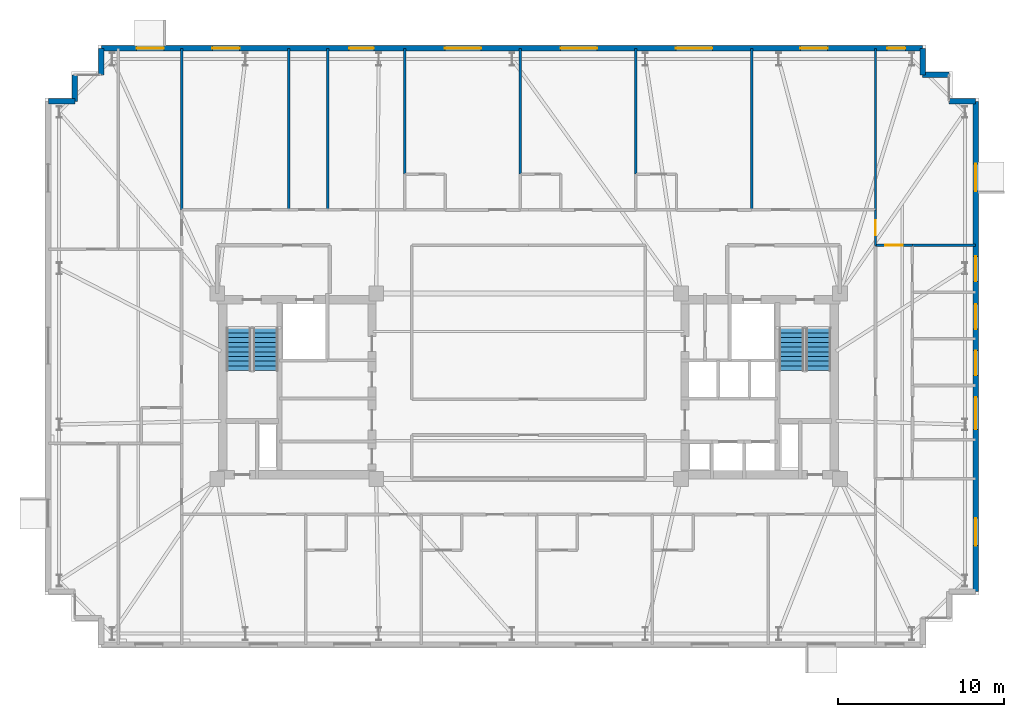
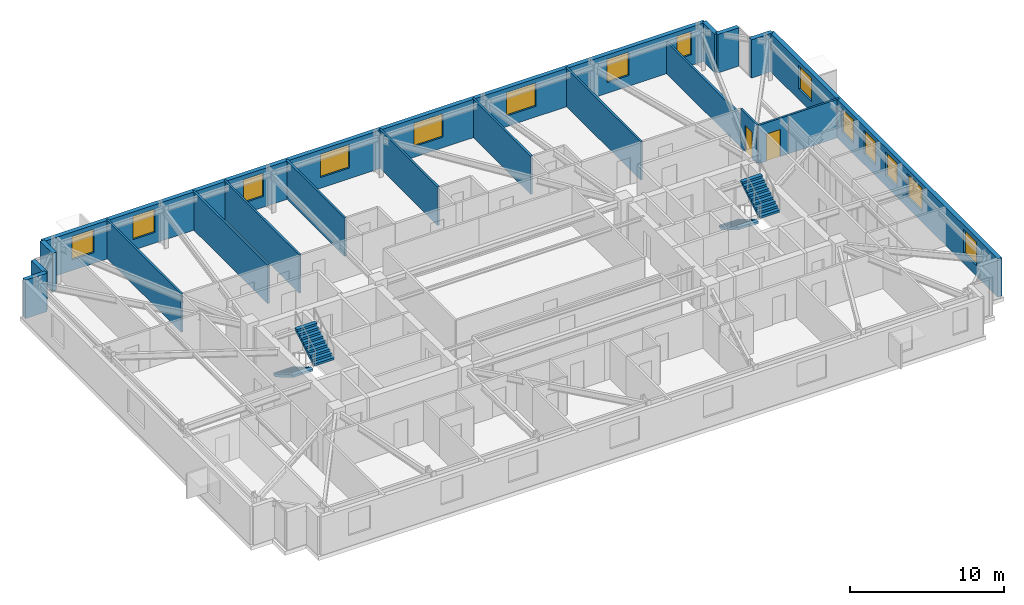
# One storey, part 15 of 17: 19 walls, 14 windows, 4 stair flights, 2 doors, 16 openings, 2 elements without a shape of their own.
"""IFC4 building model written with IfcOpenShell, lengths in metres."""

from ifc_helpers import new_model, si_unit, direction, frame, frame_2d, origin, place, context, subcontext, project, spatial, polyline, rectangle, outline, extrude, material, layer, layer_set, type_object, element, fill, aggregate, save


model = new_model("IFC4")

# Units and contexts
model_context = context("Model", 3, precision=1e-05, world=origin(), true_north=direction((0.0, 1.0)))
body_context = subcontext(model_context, "Body", "Model", "MODEL_VIEW")
ifc_project = project(units=[si_unit("LENGTHUNIT", "METRE"), si_unit("AREAUNIT", "SQUARE_METRE"), si_unit("VOLUMEUNIT", "CUBIC_METRE"), si_unit("PLANEANGLEUNIT", "RADIAN"), si_unit("MASSUNIT", "GRAM", prefix="KILO")], contexts=[model_context])

# Site, building, storey
site_placement = place(None, origin())
site = spatial("IfcSite", under=ifc_project, at=site_placement, CompositionType="ELEMENT")
building_placement = place(site_placement, origin())
building = spatial("IfcBuilding", under=site, at=building_placement, Name="Qobustan Lattice House", CompositionType="ELEMENT")
storey_placement = place(building_placement, frame((0.0, 0.0, 157.800048828125)))
storey = spatial("IfcBuildingStorey", under=building, at=storey_placement, Name="L44", CompositionType="ELEMENT", Elevation=157.800048828125)

# Walls
ifc_material_1 = material(Name="Precast concrete C40/50", Category="concrete")
ifc_layer_1 = layer(ifc_material_1, 0.320068359375)
ifc_layer_set_1 = layer_set([ifc_layer_1], Name="Precast concrete C40/50")
wall_type_1 = type_object("IfcWallType", Name="WAL-EXT-STONE-320", PredefinedType="SOLIDWALL", material=ifc_layer_set_1)
for number, where, z_axis, x_axis, name in (
    (1, (-29.0, 17.199951171875, 0.0), (0.0, 0.0, 1.0), (1.0, 0.0, 0.0), "L44 exterior limestone-clad wall 6"),
    (2, (-27.39990234375, 17.199951171875, 0.0), (0.0, 0.0, 1.0), (0.0, 1.0, 0.0), "L44 exterior limestone-clad wall 7"),
):
    element("IfcWall", number, at=place(storey_placement, frame(where, z_axis=z_axis, x_axis=x_axis)), inside=storey, type_object=wall_type_1, Name=name, PredefinedType="SOLIDWALL", context=body_context, shape_type="SweptSolid", body=[
        extrude(rectangle(XDim=1.60009765625, YDim=0.320068359375, at=frame_2d((0.800048828125, 0.0))), origin(), (0.0, 0.0, 1.0), 3.0400390625),
    ])
wall_1_placement = place(storey_placement, frame((-25.800048828125, 18.800048828125, 0.0), z_axis=(0.0, 0.0, 1.0), x_axis=(0.0, 1.0, 0.0)))
element("IfcWall", 3, at=wall_1_placement, inside=storey, type_object=wall_type_1, Name="L44 exterior limestone-clad wall 9", PredefinedType="SOLIDWALL", context=body_context, shape_type="SweptSolid", body=[
    extrude(rectangle(XDim=1.599853515625, YDim=0.320068359375, at=frame_2d((0.7998046875, 0.0))), origin(), (0.0, 0.0, 1.0), 3.0400390625),
])

# Wall, openings, windows
wall_2_placement = place(storey_placement, frame((-25.800048828125, 20.39990234375, 0.0), z_axis=(0.0, 0.0, 1.0), x_axis=(1.0, 0.0, 0.0)))
wall_2 = element("IfcWall", 4, at=wall_2_placement, inside=storey, type_object=wall_type_1, Name="L44 exterior limestone-clad wall 10", PredefinedType="SOLIDWALL", context=body_context, shape_type="SweptSolid", body=[
    extrude(rectangle(XDim=49.60009765625, YDim=0.320068359375, at=frame_2d((24.800048828125, 0.0))), origin(), (0.0, 0.0, 1.0), 3.0400390625),
])
opening_1_placement = place(wall_2_placement, frame((2.135009765625, 0.0, 0.85009765625)))
opening_1 = element("IfcOpeningElement", 5, at=opening_1_placement, cuts=wall_2, Name="Opening WN-09", PredefinedType="OPENING", context=body_context, shape_type="SweptSolid", body=[
    extrude(rectangle(XDim=1.64990234375, YDim=1.85009765625, at=frame_2d((0.824951171875, 0.925048828125))), frame((0.0, 0.169921875, 0.0), z_axis=(0.0, -1.0, 0.0), x_axis=(1.0, 0.0, 0.0)), (0.0, 0.0, 1.0), 0.340087890625),
])
opening_2_placement = place(wall_2_placement, frame((6.70556640625, 0.0, 0.85009765625)))
opening_2 = element("IfcOpeningElement", 6, at=opening_2_placement, cuts=wall_2, Name="Opening WN-09", PredefinedType="OPENING", context=body_context, shape_type="SweptSolid", body=[
    extrude(rectangle(XDim=1.64990234375, YDim=1.85009765625, at=frame_2d((0.824951171875, 0.925048828125))), frame((0.0, 0.169921875, 0.0), z_axis=(0.0, -1.0, 0.0), x_axis=(1.0, 0.0, 0.0)), (0.0, 0.0, 1.0), 0.340087890625),
])
opening_3_placement = place(wall_2_placement, frame((14.966064453125, 0.0, 0.85009765625)))
opening_3 = element("IfcOpeningElement", 7, at=opening_3_placement, cuts=wall_2, Name="Opening WN-01", PredefinedType="OPENING", context=body_context, shape_type="SweptSolid", body=[
    extrude(rectangle(XDim=1.5, YDim=1.85009765625, at=frame_2d((0.75, 0.925048828125))), frame((0.0, 0.169921875, 0.0), z_axis=(0.0, -1.0, 0.0), x_axis=(1.0, 0.0, 0.0)), (0.0, 0.0, 1.0), 0.340087890625),
])
opening_4_placement = place(wall_2_placement, frame((20.739990234375, 0.0, 0.85009765625)))
opening_4 = element("IfcOpeningElement", 8, at=opening_4_placement, cuts=wall_2, Name="Opening WN-03", PredefinedType="OPENING", context=body_context, shape_type="SweptSolid", body=[
    extrude(rectangle(XDim=2.199951171875, YDim=1.85009765625, at=frame_2d((1.10009765625, 0.925048828125))), frame((0.0, 0.169921875, 0.0), z_axis=(0.0, -1.0, 0.0), x_axis=(1.0, 0.0, 0.0)), (0.0, 0.0, 1.0), 0.340087890625),
])
opening_5_placement = place(wall_2_placement, frame((27.739990234375, 0.0, 0.85009765625)))
opening_5 = element("IfcOpeningElement", 9, at=opening_5_placement, cuts=wall_2, Name="Opening WN-03", PredefinedType="OPENING", context=body_context, shape_type="SweptSolid", body=[
    extrude(rectangle(XDim=2.199951171875, YDim=1.85009765625, at=frame_2d((1.10009765625, 0.925048828125))), frame((0.0, 0.169921875, 0.0), z_axis=(0.0, -1.0, 0.0), x_axis=(1.0, 0.0, 0.0)), (0.0, 0.0, 1.0), 0.340087890625),
])
opening_6_placement = place(wall_2_placement, frame((34.699951171875, 0.0, 0.85009765625)))
opening_6 = element("IfcOpeningElement", 10, at=opening_6_placement, cuts=wall_2, Name="Opening WN-03", PredefinedType="OPENING", context=body_context, shape_type="SweptSolid", body=[
    extrude(rectangle(XDim=2.199951171875, YDim=1.85009765625, at=frame_2d((1.10009765625, 0.925048828125))), frame((0.0, 0.169921875, 0.0), z_axis=(0.0, -1.0, 0.0), x_axis=(1.0, 0.0, 0.0)), (0.0, 0.0, 1.0), 0.340087890625),
])
opening_7_placement = place(wall_2_placement, frame((42.215087890625, 0.0, 0.85009765625)))
opening_7 = element("IfcOpeningElement", 11, at=opening_7_placement, cuts=wall_2, Name="Opening WN-09", PredefinedType="OPENING", context=body_context, shape_type="SweptSolid", body=[
    extrude(rectangle(XDim=1.64990234375, YDim=1.85009765625, at=frame_2d((0.824951171875, 0.925048828125))), frame((0.0, 0.169921875, 0.0), z_axis=(0.0, -1.0, 0.0), x_axis=(1.0, 0.0, 0.0)), (0.0, 0.0, 1.0), 0.340087890625),
])
opening_8_placement = place(wall_2_placement, frame((47.449951171875, 0.0, 0.85009765625)))
opening_8 = element("IfcOpeningElement", 12, at=opening_8_placement, cuts=wall_2, Name="Opening WN-04", PredefinedType="OPENING", context=body_context, shape_type="SweptSolid", body=[
    extrude(rectangle(XDim=1.10009765625, YDim=1.85009765625, at=frame_2d((0.550048828125, 0.925048828125))), frame((0.0, 0.169921875, 0.0), z_axis=(0.0, -1.0, 0.0), x_axis=(1.0, 0.0, 0.0)), (0.0, 0.0, 1.0), 0.340087890625),
])
ifc_material_2 = material(Name="Double-glazed low-E aluminium window", Category="aluminium")
window_type_1 = type_object("IfcWindowType", Name="WIN-BED-1500x1850", PartitioningType="SINGLE_PANEL", PredefinedType="WINDOW", material=ifc_material_2)
window_1_placement = place(opening_3_placement, origin())
window_1 = element("IfcWindow", 13, at=window_1_placement, inside=storey, type_object=window_type_1, Name="L44 Laundry utility room window", OverallHeight=1.85009765625, OverallWidth=1.5, PartitioningType="SINGLE_PANEL", PredefinedType="WINDOW", context=body_context, shape_type="SweptSolid", body=[
    extrude(rectangle(XDim=1.5, YDim=1.85009765625, at=frame_2d((0.75, 0.925048828125))), frame((0.0, 0.030029296875, 0.0), z_axis=(0.0, -1.0, 0.0), x_axis=(1.0, 0.0, 0.0)), (0.0, 0.0, 1.0), 0.06005859375),
])
fill(opening_3, window_1)
ifc_material_3 = material(Name="Double-glazed low-E aluminium window", Category="aluminium")
window_type_2 = type_object("IfcWindowType", Name="WIN-NAR-1100x1850", PartitioningType="SINGLE_PANEL", PredefinedType="WINDOW", material=ifc_material_3)
window_2_placement = place(opening_8_placement, origin())
window_2 = element("IfcWindow", 14, at=window_2_placement, inside=storey, type_object=window_type_2, Name="L44 Reading study room L44EN window", OverallHeight=1.85009765625, OverallWidth=1.10009765625, PartitioningType="SINGLE_PANEL", PredefinedType="WINDOW", context=body_context, shape_type="SweptSolid", body=[
    extrude(rectangle(XDim=1.10009765625, YDim=1.85009765625, at=frame_2d((0.550048828125, 0.925048828125))), frame((0.0, 0.030029296875, 0.0), z_axis=(0.0, -1.0, 0.0), x_axis=(1.0, 0.0, 0.0)), (0.0, 0.0, 1.0), 0.06005859375),
])
fill(opening_8, window_2)
ifc_material_4 = material(Name="Double-glazed low-E aluminium window", Category="aluminium")
window_type_3 = type_object("IfcWindowType", Name="WIN-STU-1650x1850", PartitioningType="SINGLE_PANEL", PredefinedType="WINDOW", material=ifc_material_4)
window_3_placement = place(opening_1_placement, origin())
window_3 = element("IfcWindow", 15, at=window_3_placement, inside=storey, type_object=window_type_3, Name="L44 Focus study room W3B window", OverallHeight=1.85009765625, OverallWidth=1.64990234375, PartitioningType="SINGLE_PANEL", PredefinedType="WINDOW", context=body_context, shape_type="SweptSolid", body=[
    extrude(rectangle(XDim=1.64990234375, YDim=1.85009765625, at=frame_2d((0.824951171875, 0.925048828125))), frame((0.0, 0.030029296875, 0.0), z_axis=(0.0, -1.0, 0.0), x_axis=(1.0, 0.0, 0.0)), (0.0, 0.0, 1.0), 0.06005859375),
])
fill(opening_1, window_3)
window_4_placement = place(opening_2_placement, origin())
window_4 = element("IfcWindow", 16, at=window_4_placement, inside=storey, type_object=window_type_3, Name="L44 Focus study room N1 window", OverallHeight=1.85009765625, OverallWidth=1.64990234375, PartitioningType="SINGLE_PANEL", PredefinedType="WINDOW", context=body_context, shape_type="SweptSolid", body=[
    extrude(rectangle(XDim=1.64990234375, YDim=1.85009765625, at=frame_2d((0.824951171875, 0.925048828125))), frame((0.0, 0.030029296875, 0.0), z_axis=(0.0, -1.0, 0.0), x_axis=(1.0, 0.0, 0.0)), (0.0, 0.0, 1.0), 0.06005859375),
])
fill(opening_2, window_4)
window_5_placement = place(opening_7_placement, origin())
window_5 = element("IfcWindow", 17, at=window_5_placement, inside=storey, type_object=window_type_3, Name="L44 Focus study room N6 window", OverallHeight=1.85009765625, OverallWidth=1.64990234375, PartitioningType="SINGLE_PANEL", PredefinedType="WINDOW", context=body_context, shape_type="SweptSolid", body=[
    extrude(rectangle(XDim=1.64990234375, YDim=1.85009765625, at=frame_2d((0.824951171875, 0.925048828125))), frame((0.0, 0.030029296875, 0.0), z_axis=(0.0, -1.0, 0.0), x_axis=(1.0, 0.0, 0.0)), (0.0, 0.0, 1.0), 0.06005859375),
])
fill(opening_7, window_5)
ifc_material_5 = material(Name="Double-glazed low-E aluminium window", Category="aluminium")
window_type_4 = type_object("IfcWindowType", Name="WIN-WIDE-2200x1850", PartitioningType="SINGLE_PANEL", PredefinedType="WINDOW", material=ifc_material_5)
window_6_placement = place(opening_4_placement, origin())
window_6 = element("IfcWindow", 18, at=window_6_placement, inside=storey, type_object=window_type_4, Name="L44 Kitchenette and studio apartment L44-N3 window", OverallHeight=1.85009765625, OverallWidth=2.199951171875, PartitioningType="SINGLE_PANEL", PredefinedType="WINDOW", context=body_context, shape_type="SweptSolid", body=[
    extrude(rectangle(XDim=2.199951171875, YDim=1.85009765625, at=frame_2d((1.10009765625, 0.925048828125))), frame((0.0, 0.030029296875, 0.0), z_axis=(0.0, -1.0, 0.0), x_axis=(1.0, 0.0, 0.0)), (0.0, 0.0, 1.0), 0.06005859375),
])
fill(opening_4, window_6)
window_7_placement = place(opening_5_placement, origin())
window_7 = element("IfcWindow", 19, at=window_7_placement, inside=storey, type_object=window_type_4, Name="L44 Kitchenette and studio apartment L44-N4 window", OverallHeight=1.85009765625, OverallWidth=2.199951171875, PartitioningType="SINGLE_PANEL", PredefinedType="WINDOW", context=body_context, shape_type="SweptSolid", body=[
    extrude(rectangle(XDim=2.199951171875, YDim=1.85009765625, at=frame_2d((1.10009765625, 0.925048828125))), frame((0.0, 0.030029296875, 0.0), z_axis=(0.0, -1.0, 0.0), x_axis=(1.0, 0.0, 0.0)), (0.0, 0.0, 1.0), 0.06005859375),
])
fill(opening_5, window_7)
window_8_placement = place(opening_6_placement, origin())
window_8 = element("IfcWindow", 20, at=window_8_placement, inside=storey, type_object=window_type_4, Name="L44 Kitchenette and studio apartment L44-N5 window", OverallHeight=1.85009765625, OverallWidth=2.199951171875, PartitioningType="SINGLE_PANEL", PredefinedType="WINDOW", context=body_context, shape_type="SweptSolid", body=[
    extrude(rectangle(XDim=2.199951171875, YDim=1.85009765625, at=frame_2d((1.10009765625, 0.925048828125))), frame((0.0, 0.030029296875, 0.0), z_axis=(0.0, -1.0, 0.0), x_axis=(1.0, 0.0, 0.0)), (0.0, 0.0, 1.0), 0.06005859375),
])
fill(opening_6, window_8)

# Walls
for number, where, z_axis, x_axis, name in (
    (21, (23.800048828125, 20.39990234375, 0.0), (0.0, 0.0, 1.0), (0.0, -1.0, 0.0), "L44 exterior limestone-clad wall 11"),
    (22, (23.800048828125, 18.800048828125, 0.0), (0.0, 0.0, 1.0), (1.0, 0.0, 0.0), "L44 exterior limestone-clad wall 12"),
):
    element("IfcWall", number, at=place(storey_placement, frame(where, z_axis=z_axis, x_axis=x_axis)), inside=storey, type_object=wall_type_1, Name=name, PredefinedType="SOLIDWALL", context=body_context, shape_type="SweptSolid", body=[
        extrude(rectangle(XDim=1.599853515625, YDim=0.320068359375, at=frame_2d((0.7998046875, 0.0))), origin(), (0.0, 0.0, 1.0), 3.0400390625),
    ])
wall_3_placement = place(storey_placement, frame((25.39990234375, 17.199951171875, 0.0), z_axis=(0.0, 0.0, 1.0), x_axis=(1.0, 0.0, 0.0)))
element("IfcWall", 23, at=wall_3_placement, inside=storey, type_object=wall_type_1, Name="L44 exterior limestone-clad wall 14", PredefinedType="SOLIDWALL", context=body_context, shape_type="SweptSolid", body=[
    extrude(rectangle(XDim=1.60009765625, YDim=0.320068359375, at=frame_2d((0.800048828125, 0.0))), origin(), (0.0, 0.0, 1.0), 3.0400390625),
])

# Wall, openings, windows
wall_4_placement = place(storey_placement, frame((27.0, 17.199951171875, 0.0), z_axis=(0.0, 0.0, 1.0), x_axis=(0.0, -1.0, 0.0)))
wall_4 = element("IfcWall", 24, at=wall_4_placement, inside=storey, type_object=wall_type_1, Name="L44 exterior limestone-clad wall 15", PredefinedType="SOLIDWALL", context=body_context, shape_type="SweptSolid", body=[
    extrude(rectangle(XDim=29.599853515625, YDim=0.320068359375, at=frame_2d((14.7998046875, 0.0))), origin(), (0.0, 0.0, 1.0), 3.0400390625),
])
opening_9_placement = place(wall_4_placement, frame((3.77490234375, 0.0, 0.85009765625)))
opening_9 = element("IfcOpeningElement", 25, at=opening_9_placement, cuts=wall_4, Name="Opening WN-09", PredefinedType="OPENING", context=body_context, shape_type="SweptSolid", body=[
    extrude(rectangle(XDim=1.64990234375, YDim=1.85009765625, at=frame_2d((0.824951171875, 0.925048828125))), frame((0.0, 0.169921875, 0.0), z_axis=(0.0, -1.0, 0.0), x_axis=(1.0, 0.0, 0.0)), (0.0, 0.0, 1.0), 0.340087890625),
])
opening_10_placement = place(wall_4_placement, frame((9.3701171875, 0.0, 0.85009765625)))
opening_10 = element("IfcOpeningElement", 26, at=opening_10_placement, cuts=wall_4, Name="Opening WN-01", PredefinedType="OPENING", context=body_context, shape_type="SweptSolid", body=[
    extrude(rectangle(XDim=1.5, YDim=1.85009765625, at=frame_2d((0.75, 0.925048828125))), frame((0.0, 0.169921875, 0.0), z_axis=(0.0, -1.0, 0.0), x_axis=(1.0, 0.0, 0.0)), (0.0, 0.0, 1.0), 0.340087890625),
])
opening_11_placement = place(wall_4_placement, frame((12.25, 0.0, 0.85009765625)))
opening_11 = element("IfcOpeningElement", 27, at=opening_11_placement, cuts=wall_4, Name="Opening WN-01", PredefinedType="OPENING", context=body_context, shape_type="SweptSolid", body=[
    extrude(rectangle(XDim=1.5, YDim=1.85009765625, at=frame_2d((0.75, 0.925048828125))), frame((0.0, 0.169921875, 0.0), z_axis=(0.0, -1.0, 0.0), x_axis=(1.0, 0.0, 0.0)), (0.0, 0.0, 1.0), 0.340087890625),
])
opening_12_placement = place(wall_4_placement, frame((15.050048828125, 0.0, 0.85009765625)))
opening_12 = element("IfcOpeningElement", 28, at=opening_12_placement, cuts=wall_4, Name="Opening WN-01", PredefinedType="OPENING", context=body_context, shape_type="SweptSolid", body=[
    extrude(rectangle(XDim=1.5, YDim=1.85009765625, at=frame_2d((0.75, 0.925048828125))), frame((0.0, 0.169921875, 0.0), z_axis=(0.0, -1.0, 0.0), x_axis=(1.0, 0.0, 0.0)), (0.0, 0.0, 1.0), 0.340087890625),
])
opening_13_placement = place(wall_4_placement, frame((17.864990234375, 0.0, 0.85009765625)))
opening_13 = element("IfcOpeningElement", 29, at=opening_13_placement, cuts=wall_4, Name="Opening WN-08", PredefinedType="OPENING", context=body_context, shape_type="SweptSolid", body=[
    extrude(rectangle(XDim=1.949951171875, YDim=1.85009765625, at=frame_2d((0.97509765625, 0.925048828125))), frame((0.0, 0.169921875, 0.0), z_axis=(0.0, -1.0, 0.0), x_axis=(1.0, 0.0, 0.0)), (0.0, 0.0, 1.0), 0.340087890625),
])
opening_14_placement = place(wall_4_placement, frame((25.175048828125, 0.0, 0.85009765625)))
opening_14 = element("IfcOpeningElement", 30, at=opening_14_placement, cuts=wall_4, Name="Opening WN-09", PredefinedType="OPENING", context=body_context, shape_type="SweptSolid", body=[
    extrude(rectangle(XDim=1.64990234375, YDim=1.85009765625, at=frame_2d((0.824951171875, 0.925048828125))), frame((0.0, 0.169921875, 0.0), z_axis=(0.0, -1.0, 0.0), x_axis=(1.0, 0.0, 0.0)), (0.0, 0.0, 1.0), 0.340087890625),
])
window_9_placement = place(opening_10_placement, origin())
window_9 = element("IfcWindow", 31, at=window_9_placement, inside=storey, type_object=window_type_1, Name="L44 Cluster bedroom L44E3 window", OverallHeight=1.85009765625, OverallWidth=1.5, PartitioningType="SINGLE_PANEL", PredefinedType="WINDOW", context=body_context, shape_type="SweptSolid", body=[
    extrude(rectangle(XDim=1.5, YDim=1.85009765625, at=frame_2d((0.75, 0.925048828125))), frame((0.0, 0.030029296875, 0.0), z_axis=(0.0, -1.0, 0.0), x_axis=(1.0, 0.0, 0.0)), (0.0, 0.0, 1.0), 0.06005859375),
])
fill(opening_10, window_9)
window_10_placement = place(opening_11_placement, origin())
window_10 = element("IfcWindow", 32, at=window_10_placement, inside=storey, type_object=window_type_1, Name="L44 Cluster bedroom L44E2 window", OverallHeight=1.85009765625, OverallWidth=1.5, PartitioningType="SINGLE_PANEL", PredefinedType="WINDOW", context=body_context, shape_type="SweptSolid", body=[
    extrude(rectangle(XDim=1.5, YDim=1.85009765625, at=frame_2d((0.75, 0.925048828125))), frame((0.0, 0.030029296875, 0.0), z_axis=(0.0, -1.0, 0.0), x_axis=(1.0, 0.0, 0.0)), (0.0, 0.0, 1.0), 0.06005859375),
])
fill(opening_11, window_10)
window_11_placement = place(opening_12_placement, origin())
window_11 = element("IfcWindow", 33, at=window_11_placement, inside=storey, type_object=window_type_1, Name="L44 Cluster bedroom L44E1 window", OverallHeight=1.85009765625, OverallWidth=1.5, PartitioningType="SINGLE_PANEL", PredefinedType="WINDOW", context=body_context, shape_type="SweptSolid", body=[
    extrude(rectangle(XDim=1.5, YDim=1.85009765625, at=frame_2d((0.75, 0.925048828125))), frame((0.0, 0.030029296875, 0.0), z_axis=(0.0, -1.0, 0.0), x_axis=(1.0, 0.0, 0.0)), (0.0, 0.0, 1.0), 0.06005859375),
])
fill(opening_12, window_11)
ifc_material_6 = material(Name="Double-glazed low-E aluminium window", Category="aluminium")
window_type_5 = type_object("IfcWindowType", Name="WIN-KIT-1950x1850", PartitioningType="SINGLE_PANEL", PredefinedType="WINDOW", material=ifc_material_6)
window_12_placement = place(opening_13_placement, origin())
window_12 = element("IfcWindow", 34, at=window_12_placement, inside=storey, type_object=window_type_5, Name="L44 Shared kitchen L44E window", OverallHeight=1.85009765625, OverallWidth=1.949951171875, PartitioningType="SINGLE_PANEL", PredefinedType="WINDOW", context=body_context, shape_type="SweptSolid", body=[
    extrude(rectangle(XDim=1.949951171875, YDim=1.85009765625, at=frame_2d((0.97509765625, 0.925048828125))), frame((0.0, 0.030029296875, 0.0), z_axis=(0.0, -1.0, 0.0), x_axis=(1.0, 0.0, 0.0)), (0.0, 0.0, 1.0), 0.06005859375),
])
fill(opening_13, window_12)
window_13_placement = place(opening_9_placement, origin())
window_13 = element("IfcWindow", 35, at=window_13_placement, inside=storey, type_object=window_type_3, Name="L44 Reading study room L44EN window", OverallHeight=1.85009765625, OverallWidth=1.64990234375, PartitioningType="SINGLE_PANEL", PredefinedType="WINDOW", context=body_context, shape_type="SweptSolid", body=[
    extrude(rectangle(XDim=1.64990234375, YDim=1.85009765625, at=frame_2d((0.824951171875, 0.925048828125))), frame((0.0, 0.030029296875, 0.0), z_axis=(0.0, -1.0, 0.0), x_axis=(1.0, 0.0, 0.0)), (0.0, 0.0, 1.0), 0.06005859375),
])
fill(opening_9, window_13)
window_14_placement = place(opening_14_placement, origin())
window_14 = element("IfcWindow", 36, at=window_14_placement, inside=storey, type_object=window_type_3, Name="L44 Reading study room L44ES window", OverallHeight=1.85009765625, OverallWidth=1.64990234375, PartitioningType="SINGLE_PANEL", PredefinedType="WINDOW", context=body_context, shape_type="SweptSolid", body=[
    extrude(rectangle(XDim=1.64990234375, YDim=1.85009765625, at=frame_2d((0.824951171875, 0.925048828125))), frame((0.0, 0.030029296875, 0.0), z_axis=(0.0, -1.0, 0.0), x_axis=(1.0, 0.0, 0.0)), (0.0, 0.0, 1.0), 0.06005859375),
])
fill(opening_14, window_14)

# Wall, opening, door
ifc_material_7 = material(Name="Acoustic twin-stud gypsum partition", Category="gypsum")
ifc_layer_2 = layer(ifc_material_7, 0.14990234375)
ifc_layer_set_2 = layer_set([ifc_layer_2], Name="Acoustic twin-stud gypsum partition")
wall_type_2 = type_object("IfcWallType", Name="WAL-PART-150", PredefinedType="PARTITIONING", material=ifc_layer_set_2)
wall_5_placement = place(storey_placement, frame((20.949951171875, 10.64990234375, 0.0), z_axis=(0.0, 0.0, 1.0), x_axis=(0.0, -1.0, 0.0)))
wall_5 = element("IfcWall", 37, at=wall_5_placement, inside=storey, type_object=wall_type_2, Name="L44 interior partition 39", PredefinedType="PARTITIONING", context=body_context, shape_type="SweptSolid", body=[
    extrude(rectangle(XDim=2.14990234375, YDim=0.14990234375, at=frame_2d((1.074951171875, 0.0))), origin(), (0.0, 0.0, 1.0), 3.0400390625),
])
opening_15_placement = place(wall_5_placement, frame((0.625, 0.0, 0.0)))
opening_15 = element("IfcOpeningElement", 38, at=opening_15_placement, cuts=wall_5, Name="Opening WD-01", PredefinedType="OPENING", context=body_context, shape_type="SweptSolid", body=[
    extrude(rectangle(XDim=0.89990234375, YDim=2.10009765625, at=frame_2d((0.449951171875, 1.050048828125))), frame((0.0, 0.0849609375, 0.0), z_axis=(0.0, -1.0, 0.0), x_axis=(1.0, 0.0, 0.0)), (0.0, 0.0, 1.0), 0.169921875),
])
ifc_material_8 = material(Name="Persian walnut timber and steel frame door", Category="steel")
door_type_1 = type_object("IfcDoorType", Name="DOR-WET-900x2100", OperationType="NOTDEFINED", PredefinedType="DOOR", material=ifc_material_8)
door_1_placement = place(opening_15_placement, origin())
door_1 = element("IfcDoor", 39, at=door_1_placement, inside=storey, type_object=door_type_1, Name="L44 North-east floor corridor to Reading study room L44EN door", OperationType="SINGLE_SWING_LEFT", OverallHeight=2.10009765625, OverallWidth=0.89990234375, PredefinedType="DOOR", context=body_context, shape_type="SweptSolid", body=[
    extrude(rectangle(XDim=0.89990234375, YDim=2.10009765625, at=frame_2d((0.449951171875, 1.050048828125))), frame((0.0, 0.02490234375, 0.0), z_axis=(0.0, -1.0, 0.0), x_axis=(1.0, 0.0, 0.0)), (0.0, 0.0, 1.0), 0.050048828125),
])
fill(opening_15, door_1)

# Wall
wall_6_placement = place(storey_placement, frame((-20.949951171875, 20.39990234375, 0.0), z_axis=(0.0, 0.0, 1.0), x_axis=(0.0, -1.0, 0.0)))
element("IfcWall", 40, at=wall_6_placement, inside=storey, type_object=wall_type_2, Name="L44 interior partition 81", PredefinedType="PARTITIONING", context=body_context, shape_type="SweptSolid", body=[
    extrude(rectangle(XDim=9.75, YDim=0.14990234375, at=frame_2d((4.875, 0.0))), origin(), (0.0, 0.0, 1.0), 3.0400390625),
])

# Wall, opening, door
wall_7_placement = place(storey_placement, frame((20.949951171875, 8.5, 0.0), z_axis=(0.0, 0.0, 1.0), x_axis=(1.0, 0.0, 0.0)))
wall_7 = element("IfcWall", 41, at=wall_7_placement, inside=storey, type_object=wall_type_2, Name="L44 interior partition 82", PredefinedType="PARTITIONING", context=body_context, shape_type="SweptSolid", body=[
    extrude(rectangle(XDim=2.22998046875, YDim=0.14990234375, at=frame_2d((1.114990234375, 0.0))), origin(), (0.0, 0.0, 1.0), 3.0400390625),
])
opening_16_placement = place(wall_7_placement, frame((0.590087890625, 0.0, 0.0)))
opening_16 = element("IfcOpeningElement", 42, at=opening_16_placement, cuts=wall_7, Name="Opening ID-02", PredefinedType="OPENING", context=body_context, shape_type="SweptSolid", body=[
    extrude(rectangle(XDim=1.050048828125, YDim=2.14990234375, at=frame_2d((0.52490234375, 1.074951171875))), frame((0.0, 0.0849609375, 0.0), z_axis=(0.0, -1.0, 0.0), x_axis=(1.0, 0.0, 0.0)), (0.0, 0.0, 1.0), 0.169921875),
])
ifc_material_9 = material(Name="Persian walnut timber and steel frame door", Category="steel")
door_type_2 = type_object("IfcDoorType", Name="DOR-STUDY-1050x2150", OperationType="NOTDEFINED", PredefinedType="DOOR", material=ifc_material_9)
door_2_placement = place(opening_16_placement, origin())
door_2 = element("IfcDoor", 43, at=door_2_placement, inside=storey, type_object=door_type_2, Name="L44 Residence entrance hall L44E to Reading study room L44EN door", OperationType="SINGLE_SWING_RIGHT", OverallHeight=2.14990234375, OverallWidth=1.050048828125, PredefinedType="DOOR", context=body_context, shape_type="SweptSolid", body=[
    extrude(rectangle(XDim=1.050048828125, YDim=2.14990234375, at=frame_2d((0.52490234375, 1.074951171875))), frame((0.0, 0.02490234375, 0.0), z_axis=(0.0, -1.0, 0.0), x_axis=(1.0, 0.0, 0.0)), (0.0, 0.0, 1.0), 0.050048828125),
])
fill(opening_16, door_2)

# Walls
wall_8_placement = place(storey_placement, frame((27.0, 8.5, 0.0), z_axis=(0.0, 0.0, 1.0), x_axis=(-1.0, 0.0, 0.0)))
element("IfcWall", 44, at=wall_8_placement, inside=storey, type_object=wall_type_2, Name="L44 interior partition 89", PredefinedType="PARTITIONING", context=body_context, shape_type="SweptSolid", body=[
    extrude(rectangle(XDim=3.820068359375, YDim=0.14990234375, at=frame_2d((1.91015625, 0.0))), origin(), (0.0, 0.0, 1.0), 3.0400390625),
])
wall_9_placement = place(storey_placement, frame((20.949951171875, 10.64990234375, 0.0), z_axis=(0.0, 0.0, 1.0), x_axis=(0.0, 1.0, 0.0)))
element("IfcWall", 45, at=wall_9_placement, inside=storey, type_object=wall_type_2, Name="L44 interior partition 90", PredefinedType="PARTITIONING", context=body_context, shape_type="SweptSolid", body=[
    extrude(rectangle(XDim=9.75, YDim=0.14990234375, at=frame_2d((4.875, 0.0))), origin(), (0.0, 0.0, 1.0), 2.52490234375),
])
for number, where, z_axis, x_axis, name in (
    (46, (-7.48291015625, 20.39990234375, 0.0), (0.0, 0.0, 1.0), (0.0, -1.0, 0.0), "L44 interior partition 99"),
    (47, (-0.5, 20.39990234375, 0.0), (0.0, 0.0, 1.0), (0.0, -1.0, 0.0), "L44 interior partition 103"),
    (48, (6.48291015625, 20.39990234375, 0.0), (0.0, 0.0, 1.0), (0.0, -1.0, 0.0), "L44 interior partition 107"),
):
    element("IfcWall", number, at=place(storey_placement, frame(where, z_axis=z_axis, x_axis=x_axis)), inside=storey, type_object=wall_type_2, Name=name, PredefinedType="PARTITIONING", context=body_context, shape_type="SweptSolid", body=[
        extrude(rectangle(XDim=7.599853515625, YDim=0.14990234375, at=frame_2d((3.7998046875, 0.0))), origin(), (0.0, 0.0, 1.0), 3.0400390625),
    ])
wall_10_placement = place(storey_placement, frame((13.467041015625, 20.39990234375, 0.0), z_axis=(0.0, 0.0, 1.0), x_axis=(0.0, -1.0, 0.0)))
element("IfcWall", 49, at=wall_10_placement, inside=storey, type_object=wall_type_2, Name="L44 interior partition 111", PredefinedType="PARTITIONING", context=body_context, shape_type="SweptSolid", body=[
    extrude(rectangle(XDim=9.75, YDim=0.14990234375, at=frame_2d((4.875, 0.0))), origin(), (0.0, 0.0, 1.0), 3.0400390625),
])
ifc_material_10 = material(Name="Moisture-resistant acoustic plumbing wall", Category="gypsum")
ifc_layer_3 = layer(ifc_material_10, 0.14990234375)
ifc_layer_set_3 = layer_set([ifc_layer_3], Name="Moisture-resistant acoustic plumbing wall")
wall_type_3 = type_object("IfcWallType", Name="WAL-WET-150", PredefinedType="PLUMBINGWALL", material=ifc_layer_set_3)
for number, where, z_axis, x_axis, name in (
    (50, (-14.467041015625, 20.39990234375, 0.0), (0.0, 0.0, 1.0), (0.0, -1.0, 0.0), "L44 interior partition 97"),
    (51, (-12.116943359375, 20.39990234375, 0.0), (0.0, 0.0, 1.0), (0.0, -1.0, 0.0), "L44 interior partition 98"),
):
    element("IfcWall", number, at=place(storey_placement, frame(where, z_axis=z_axis, x_axis=x_axis)), inside=storey, type_object=wall_type_3, Name=name, PredefinedType="PLUMBINGWALL", context=body_context, shape_type="SweptSolid", body=[
        extrude(rectangle(XDim=9.75, YDim=0.14990234375, at=frame_2d((4.875, 0.0))), origin(), (0.0, 0.0, 1.0), 3.0400390625),
    ])

# Stair, stair flights
ifc_material_11 = material(Name="Concrete C40/50", Category="concrete")
stair_type = type_object("IfcStairType", Name="STR-CORE-DOGLEG", PredefinedType="HALF_TURN_STAIR", material=ifc_material_11)
stair_1_placement = place(storey_placement, origin())
stair_1 = element("IfcStair", 52, at=stair_1_placement, inside=storey, type_object=stair_type, Name="L44 West protected exit stair ST-W1", PredefinedType="HALF_TURN_STAIR")
ifc_material_12 = material(Name="Concrete C40/50", Category="concrete")
stair_flight_type = type_object("IfcStairFlightType", Name="SFL-RC-1500", PredefinedType="STRAIGHT", material=ifc_material_12)
stair_flight_1_placement = place(storey_placement, frame((-17.5, 3.5, 0.0), z_axis=(0.0, 0.0, 1.0), x_axis=(0.0, -1.0, 0.0)))
stair_flight_1 = element("IfcStairFlight", 53, at=stair_flight_1_placement, type_object=stair_flight_type, Name="ST-W1 flight 1", NumberOfRisers=10, NumberOfTreads=9, PredefinedType="STRAIGHT", RiserHeight=0.1675, TreadLength=0.285, context=body_context, shape_type="SweptSolid", body=[
    extrude(outline(polyline([(0.0, 0.0), (0.0, 0.16748046875), (0.284912109375, 0.16748046875), (0.284912109375, 0.3349609375), (0.570068359375, 0.3349609375), (0.570068359375, 0.50244140625), (0.85498046875, 0.50244140625), (0.85498046875, 0.669921875), (1.139892578125, 0.669921875), (1.139892578125, 0.83740234375), (1.425048828125, 0.83740234375), (1.425048828125, 1.0048828125), (1.7099609375, 1.0048828125), (1.7099609375, 1.172607421875), (1.9951171875, 1.172607421875), (1.9951171875, 1.340087890625), (2.280029296875, 1.340087890625), (2.280029296875, 1.507568359375), (2.56494140625, 1.507568359375), (2.56494140625, 1.675048828125), (2.56494140625, 1.333740234375), (0.2958984375, 0.0), (0.0, 0.0)])), frame((0.0, 0.75, 0.0), z_axis=(0.0, -1.0, 0.0), x_axis=(1.0, 0.0, 0.0)), (0.0, 0.0, 1.0), 1.5),
])
stair_flight_2_placement = place(storey_placement, frame((-15.8798828125, 0.93505859375, 1.675048828125), z_axis=(0.0, 0.0, 1.0), x_axis=(0.0, 1.0, 0.0)))
stair_flight_2 = element("IfcStairFlight", 54, at=stair_flight_2_placement, type_object=stair_flight_type, Name="ST-W1 flight 2", NumberOfRisers=10, NumberOfTreads=9, PredefinedType="STRAIGHT", RiserHeight=0.1675, TreadLength=0.285, context=body_context, shape_type="SweptSolid", body=[
    extrude(outline(polyline([(0.0, 0.0), (0.0, 0.16748046875), (0.284912109375, 0.16748046875), (0.284912109375, 0.3349609375), (0.570068359375, 0.3349609375), (0.570068359375, 0.50244140625), (0.85498046875, 0.50244140625), (0.85498046875, 0.669921875), (1.139892578125, 0.669921875), (1.139892578125, 0.83740234375), (1.425048828125, 0.83740234375), (1.425048828125, 1.0048828125), (1.7099609375, 1.0048828125), (1.7099609375, 1.172607421875), (1.9951171875, 1.172607421875), (1.9951171875, 1.340087890625), (2.280029296875, 1.340087890625), (2.280029296875, 1.507568359375), (2.56494140625, 1.507568359375), (2.56494140625, 1.675048828125), (2.56494140625, 1.333740234375), (0.2958984375, 0.0), (0.0, 0.0)])), frame((0.0, 0.75, 0.0), z_axis=(0.0, -1.0, 0.0), x_axis=(1.0, 0.0, 0.0)), (0.0, 0.0, 1.0), 1.5),
])
aggregate(stair_1, [stair_flight_1, stair_flight_2])

stair_2_placement = place(storey_placement, origin())
stair_2 = element("IfcStair", 55, at=stair_2_placement, inside=storey, type_object=stair_type, Name="L44 East protected exit stair ST-E1", PredefinedType="HALF_TURN_STAIR")
stair_flight_3_placement = place(storey_placement, frame((15.8798828125, 3.5, 0.0), z_axis=(0.0, 0.0, 1.0), x_axis=(0.0, -1.0, 0.0)))
stair_flight_3 = element("IfcStairFlight", 56, at=stair_flight_3_placement, type_object=stair_flight_type, Name="ST-E1 flight 1", NumberOfRisers=10, NumberOfTreads=9, PredefinedType="STRAIGHT", RiserHeight=0.1675, TreadLength=0.285, context=body_context, shape_type="SweptSolid", body=[
    extrude(outline(polyline([(0.0, 0.0), (0.0, 0.16748046875), (0.284912109375, 0.16748046875), (0.284912109375, 0.3349609375), (0.570068359375, 0.3349609375), (0.570068359375, 0.50244140625), (0.85498046875, 0.50244140625), (0.85498046875, 0.669921875), (1.139892578125, 0.669921875), (1.139892578125, 0.83740234375), (1.425048828125, 0.83740234375), (1.425048828125, 1.0048828125), (1.7099609375, 1.0048828125), (1.7099609375, 1.172607421875), (1.9951171875, 1.172607421875), (1.9951171875, 1.340087890625), (2.280029296875, 1.340087890625), (2.280029296875, 1.507568359375), (2.56494140625, 1.507568359375), (2.56494140625, 1.675048828125), (2.56494140625, 1.333740234375), (0.2958984375, 0.0), (0.0, 0.0)])), frame((0.0, 0.75, 0.0), z_axis=(0.0, -1.0, 0.0), x_axis=(1.0, 0.0, 0.0)), (0.0, 0.0, 1.0), 1.5),
])
stair_flight_4_placement = place(storey_placement, frame((17.5, 0.93505859375, 1.675048828125), z_axis=(0.0, 0.0, 1.0), x_axis=(0.0, 1.0, 0.0)))
stair_flight_4 = element("IfcStairFlight", 57, at=stair_flight_4_placement, type_object=stair_flight_type, Name="ST-E1 flight 2", NumberOfRisers=10, NumberOfTreads=9, PredefinedType="STRAIGHT", RiserHeight=0.1675, TreadLength=0.285, context=body_context, shape_type="SweptSolid", body=[
    extrude(outline(polyline([(0.0, 0.0), (0.0, 0.16748046875), (0.284912109375, 0.16748046875), (0.284912109375, 0.3349609375), (0.570068359375, 0.3349609375), (0.570068359375, 0.50244140625), (0.85498046875, 0.50244140625), (0.85498046875, 0.669921875), (1.139892578125, 0.669921875), (1.139892578125, 0.83740234375), (1.425048828125, 0.83740234375), (1.425048828125, 1.0048828125), (1.7099609375, 1.0048828125), (1.7099609375, 1.172607421875), (1.9951171875, 1.172607421875), (1.9951171875, 1.340087890625), (2.280029296875, 1.340087890625), (2.280029296875, 1.507568359375), (2.56494140625, 1.507568359375), (2.56494140625, 1.675048828125), (2.56494140625, 1.333740234375), (0.2958984375, 0.0), (0.0, 0.0)])), frame((0.0, 0.75, 0.0), z_axis=(0.0, -1.0, 0.0), x_axis=(1.0, 0.0, 0.0)), (0.0, 0.0, 1.0), 1.5),
])
aggregate(stair_2, [stair_flight_3, stair_flight_4])

save(model, "model.ifc")
